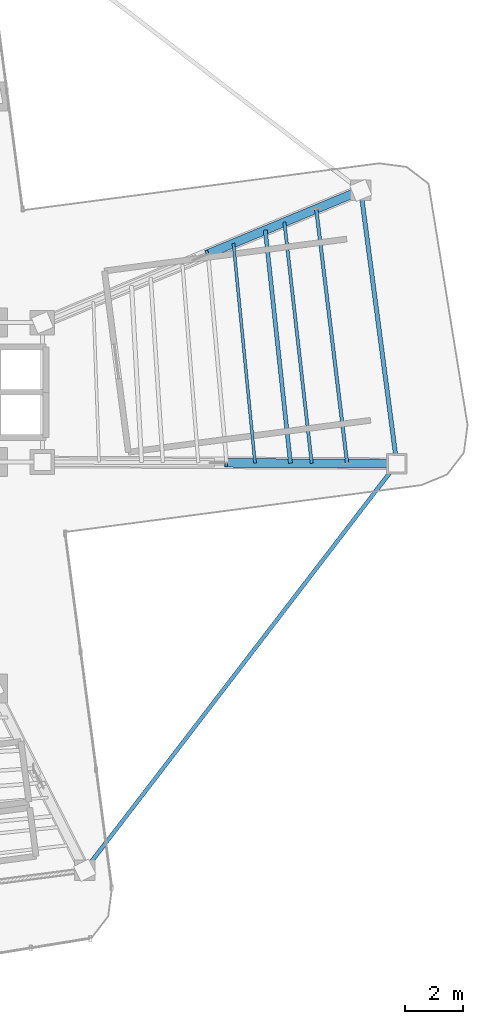
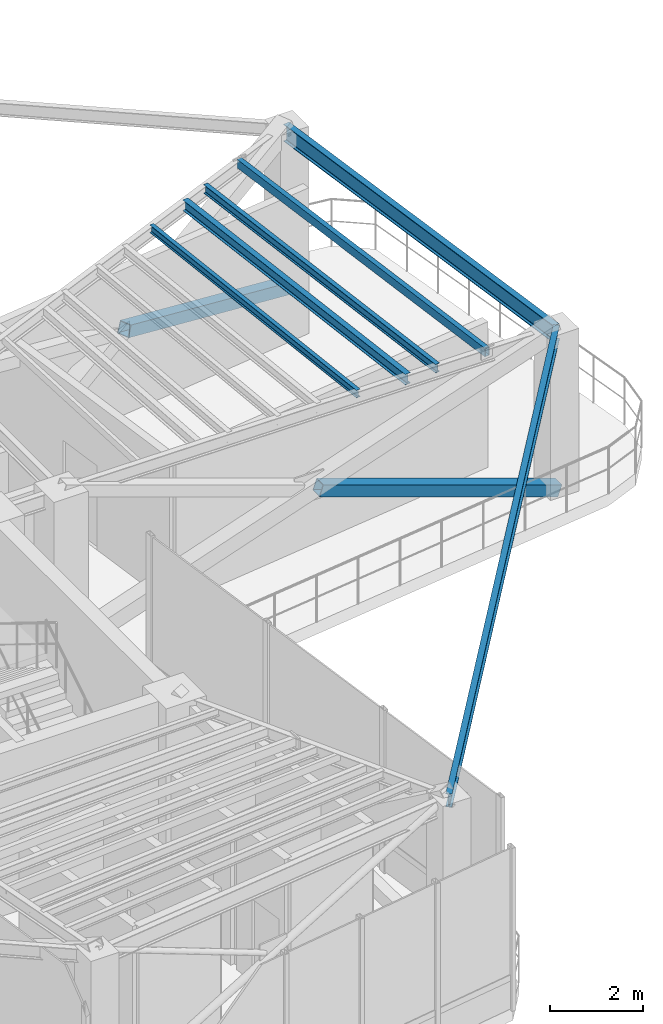
# One storey, part 8 of 17: 6 beams, 2 members.
"""IFC4 building model written with IfcOpenShell, lengths in metres."""

from ifc_helpers import new_model, si_unit, direction, frame, origin, origin_2d, place, context, subcontext, project, spatial, hollow_rectangle, i_section, extrude, source, transform, mapped, material, material_profile, profile_set, type_object, element, save


model = new_model("IFC4")

# Units and contexts
model_context = context("Model", 3, precision=1e-05, world=origin(), true_north=direction((0.0, 1.0)))
body_context = subcontext(model_context, "Body", "Model", "MODEL_VIEW")
ifc_project = project(units=[si_unit("LENGTHUNIT", "METRE"), si_unit("AREAUNIT", "SQUARE_METRE"), si_unit("VOLUMEUNIT", "CUBIC_METRE"), si_unit("PLANEANGLEUNIT", "RADIAN"), si_unit("MASSUNIT", "GRAM", prefix="KILO")], contexts=[model_context])

# Site, building, storey
site_placement = place(None, origin())
site = spatial("IfcSite", under=ifc_project, at=site_placement, CompositionType="ELEMENT")
building_placement = place(site_placement, origin())
building = spatial("IfcBuilding", under=site, at=building_placement, Name="Sahyath Konkavel Grand Hotel", CompositionType="ELEMENT")
storey_placement = place(building_placement, frame((0.0, 0.0, 264.60009765625)))
storey = spatial("IfcBuildingStorey", under=building, at=storey_placement, Name="L74", CompositionType="ELEMENT", Elevation=264.60009765625)

# Beams
ifc_material_1 = material(Name="Steel E350", Category="steel")
ifc_material_profile_1 = material_profile(ifc_material_1, i_section(OverallWidth=0.14990234375, OverallDepth=0.449951171875, WebThickness=0.009521484375, FlangeThickness=0.017333984375, FilletRadius=0.014892578125, at=origin_2d()), Name="ISMB 450")
ifc_profile_set_1 = profile_set([ifc_material_profile_1], Name="Steel E350")
beam_type_1 = type_object("IfcBeamType", Name="BM-ISMB450", PredefinedType="BEAM", material=ifc_profile_set_1)
shared_shape_1 = source(origin(), body_context, "Body", "SweptSolid", [
    extrude(i_section(OverallWidth=0.14990234375, OverallDepth=0.449951171875, WebThickness=0.009521484375, FlangeThickness=0.017333984375, FilletRadius=0.014892578125, at=origin_2d()), origin(), (0.0, 0.0, 1.0), 9.5),
])
beam_1_placement = place(storey_placement, frame((17.71240234375, -2.458984375, 4.034912109375), z_axis=(-0.130525643939, 0.991444933556, 0.0), x_axis=(-0.991444933556, -0.130525643939, 0.0)))
element("IfcBeam", 1, at=beam_1_placement, inside=storey, type_object=beam_type_1, Name="L74 Wing Tip Edge Beam E", PredefinedType="BEAM", context=body_context, shape_type="MappedRepresentation", body=[
    mapped(shared_shape_1, transform((0.0, 0.0, 0.0), scale=1.0)),
])
ifc_material_profile_2 = material_profile(ifc_material_1, i_section(OverallWidth=0.139892578125, OverallDepth=0.35009765625, WebThickness=0.008056640625, FlangeThickness=0.01416015625, FilletRadius=0.013916015625, at=origin_2d()), Name="ISMB 350")
ifc_profile_set_2 = profile_set([ifc_material_profile_2], Name="Steel E350")
beam_type_2 = type_object("IfcBeamType", Name="BM-ISMB350", PredefinedType="BEAM", material=ifc_profile_set_2)
shared_shape_2 = source(origin(), body_context, "Body", "SweptSolid", [
    extrude(i_section(OverallWidth=0.139892578125, OverallDepth=0.35009765625, WebThickness=0.008056640625, FlangeThickness=0.01416015625, FilletRadius=0.013916015625, at=origin_2d()), origin(), (0.0, 0.0, 1.0), 17.663330078125),
])
beam_2_placement = place(storey_placement, frame((17.71240234375, -2.458984375, 4.0849609375), z_axis=(-0.608754453805, -0.793358692504, 0.0), x_axis=(0.793358692504, -0.608754453805, 0.0)))
element("IfcBeam", 2, at=beam_2_placement, inside=storey, type_object=beam_type_2, Name="L74 Re-Entrant Tie Beam SE", PredefinedType="BEAM", context=body_context, shape_type="MappedRepresentation", body=[
    mapped(shared_shape_2, transform((0.0, 0.0, 0.0), scale=1.0)),
])
ifc_material_profile_3 = material_profile(ifc_material_1, i_section(OverallWidth=0.110107421875, OverallDepth=0.22509765625, WebThickness=0.006591796875, FlangeThickness=0.01171875, FilletRadius=0.011962890625, at=origin_2d()), Name="ISMB 225")
ifc_profile_set_3 = profile_set([ifc_material_profile_3], Name="Steel E350")
beam_type_3 = type_object("IfcBeamType", Name="BM-ISMB225", PredefinedType="BEAM", material=ifc_profile_set_3)
shared_shape_3 = source(origin(), body_context, "Body", "SweptSolid", [
    extrude(i_section(OverallWidth=0.110107421875, OverallDepth=0.22509765625, WebThickness=0.006591796875, FlangeThickness=0.01171875, FilletRadius=0.011962890625, at=origin_2d()), origin(), (0.0, 0.0, 1.0), 8.36328125),
])
beam_3_placement = place(storey_placement, frame((14.781494140625, -2.44482421875, 4.1474609375), z_axis=(-0.112680437677, 0.99363127918, 0.0), x_axis=(-0.99363127918, -0.112680437677, 0.0)))
element("IfcBeam", 3, at=beam_3_placement, inside=storey, type_object=beam_type_3, Name="L74 Secondary Floor Beam E-3", PredefinedType="BEAM", context=body_context, shape_type="MappedRepresentation", body=[
    mapped(shared_shape_3, transform((0.0, 0.0, 0.0), scale=1.0)),
])

# Members
ifc_material_2 = material(Name="Steel E450", Category="steel")
ifc_material_profile_4 = material_profile(ifc_material_2, hollow_rectangle(XDim=0.300048828125, YDim=0.300048828125, WallThickness=0.01611328125, at=origin_2d()), Name="SHS 300x300x16")
ifc_profile_set_4 = profile_set([ifc_material_profile_4], Name="Steel E450")
member_type = type_object("IfcMemberType", Name="BR-SHS300", PredefinedType="BRACE", material=ifc_profile_set_4)
shared_shape_4 = source(origin(), body_context, "Body", "SweptSolid", [
    extrude(hollow_rectangle(XDim=0.300048828125, YDim=0.300048828125, WallThickness=0.01611328125, at=origin_2d()), origin(), (0.0, 0.0, 1.0), 6.2236328125),
])
member_1_placement = place(storey_placement, frame((17.71240234375, -2.458984375, 0.010009765625), z_axis=(-0.944673675245, 0.004550375647, 0.327980092963), x_axis=(-0.004816819794, -0.999988399056, 0.0)))
element("IfcMember", 4, at=member_1_placement, inside=storey, type_object=member_type, Name="L74 Core Outrigger Truss EA Split Lower Diagonal 2A", PredefinedType="BRACE", context=body_context, shape_type="MappedRepresentation", body=[
    mapped(shared_shape_4, transform((0.0, 0.0, 0.0), scale=1.0)),
])
shared_shape_5 = source(origin(), body_context, "Body", "SweptSolid", [
    extrude(hollow_rectangle(XDim=0.300048828125, YDim=0.300048828125, WallThickness=0.01611328125, at=origin_2d()), origin(), (0.0, 0.0, 1.0), 6.06787109375),
])
member_2_placement = place(storey_placement, frame((16.472412109375, 6.959716796875, 0.010009765625), z_axis=(-0.869721245071, -0.361431622154, 0.336083528871), x_axis=(0.383753739294, -0.923435470175, 0.0)))
element("IfcMember", 5, at=member_2_placement, inside=storey, type_object=member_type, Name="L74 Core Outrigger Truss EB Split Lower Diagonal 2A", PredefinedType="BRACE", context=body_context, shape_type="MappedRepresentation", body=[
    mapped(shared_shape_5, transform((0.0, 0.0, 0.0), scale=1.0)),
])

# Beams
ifc_material_profile_5 = material_profile(ifc_material_1, i_section(OverallWidth=0.10009765625, OverallDepth=0.199951171875, WebThickness=0.005615234375, FlangeThickness=0.0107421875, FilletRadius=0.010986328125, at=origin_2d()), Name="ISMB 200")
ifc_profile_set_5 = profile_set([ifc_material_profile_5], Name="Steel E350")
beam_type_4 = type_object("IfcBeamType", Name="BM-ISMB200", PredefinedType="BEAM", material=ifc_profile_set_5)
shared_shape_6 = source(origin(), body_context, "Body", "SweptSolid", [
    extrude(i_section(OverallWidth=0.10009765625, OverallDepth=0.199951171875, WebThickness=0.005615234375, FlangeThickness=0.0107421875, FilletRadius=0.010986328125, at=origin_2d()), origin(), (0.0, 0.0, 1.0), 7.607666015625),
])
beam_4_placement = place(storey_placement, frame((12.827392578125, -2.435546875, 4.159912109375), z_axis=(-0.09778145576, 0.995207911398, 0.0), x_axis=(-0.995207911398, -0.09778145576, 0.0)))
element("IfcBeam", 6, at=beam_4_placement, inside=storey, type_object=beam_type_4, Name="L74 Composite Deck Sub-Beam E-4", PredefinedType="BEAM", context=body_context, shape_type="MappedRepresentation", body=[
    mapped(shared_shape_6, transform((0.0, 0.0, 0.0), scale=1.0)),
])
ifc_material_profile_6 = material_profile(ifc_material_1, i_section(OverallWidth=0.139892578125, OverallDepth=0.27490234375, WebThickness=0.00634765625, FlangeThickness=0.0087890625, FilletRadius=0.012939453125, at=origin_2d()), Name="ISLB 275")
ifc_profile_set_6 = profile_set([ifc_material_profile_6], Name="Steel E350")
beam_type_5 = type_object("IfcBeamType", Name="BM-ISLB275", PredefinedType="BEAM", material=ifc_profile_set_6)
shared_shape_7 = source(origin(), body_context, "Body", "SweptSolid", [
    extrude(i_section(OverallWidth=0.139892578125, OverallDepth=0.27490234375, WebThickness=0.00634765625, FlangeThickness=0.0087890625, FilletRadius=0.012939453125, at=origin_2d()), origin(), (0.0, 0.0, 1.0), 8.079833984375),
])
beam_5_placement = place(storey_placement, frame((14.048583984375, -2.44140625, 4.122314453125), z_axis=(-0.107416459243, 0.994214113903, 0.0), x_axis=(-0.994214113903, -0.107416459243, 0.0)))
element("IfcBeam", 7, at=beam_5_placement, inside=storey, type_object=beam_type_5, Name="L74 Composite Deck Sub-Beam E-5", PredefinedType="BEAM", context=body_context, shape_type="MappedRepresentation", body=[
    mapped(shared_shape_7, transform((0.0, 0.0, 0.0), scale=1.0)),
])
ifc_material_profile_7 = material_profile(ifc_material_1, hollow_rectangle(XDim=0.1201171875, YDim=0.219970703125, WallThickness=0.010009765625, at=origin_2d()), Name="RHS 220x120x10")
ifc_profile_set_7 = profile_set([ifc_material_profile_7], Name="Steel E350")
beam_type_6 = type_object("IfcBeamType", Name="BM-RHS220", PredefinedType="BEAM", material=ifc_profile_set_7)
shared_shape_8 = source(origin(), body_context, "Body", "SweptSolid", [
    extrude(hollow_rectangle(XDim=0.1201171875, YDim=0.219970703125, WallThickness=0.010009765625, at=origin_2d()), origin(), (0.0, 0.0, 1.0), 8.836669921875),
])
beam_6_placement = place(storey_placement, frame((16.002685546875, -2.45068359375, 4.14990234375), z_axis=(-0.120681204123, 0.992691315048, 0.0), x_axis=(-0.992691315048, -0.120681204123, 0.0)))
element("IfcBeam", 8, at=beam_6_placement, inside=storey, type_object=beam_type_6, Name="L74 Composite Deck Sub-Beam E-6", PredefinedType="BEAM", context=body_context, shape_type="MappedRepresentation", body=[
    mapped(shared_shape_8, transform((0.0, 0.0, 0.0), scale=1.0)),
])

save(model, "model.ifc")
